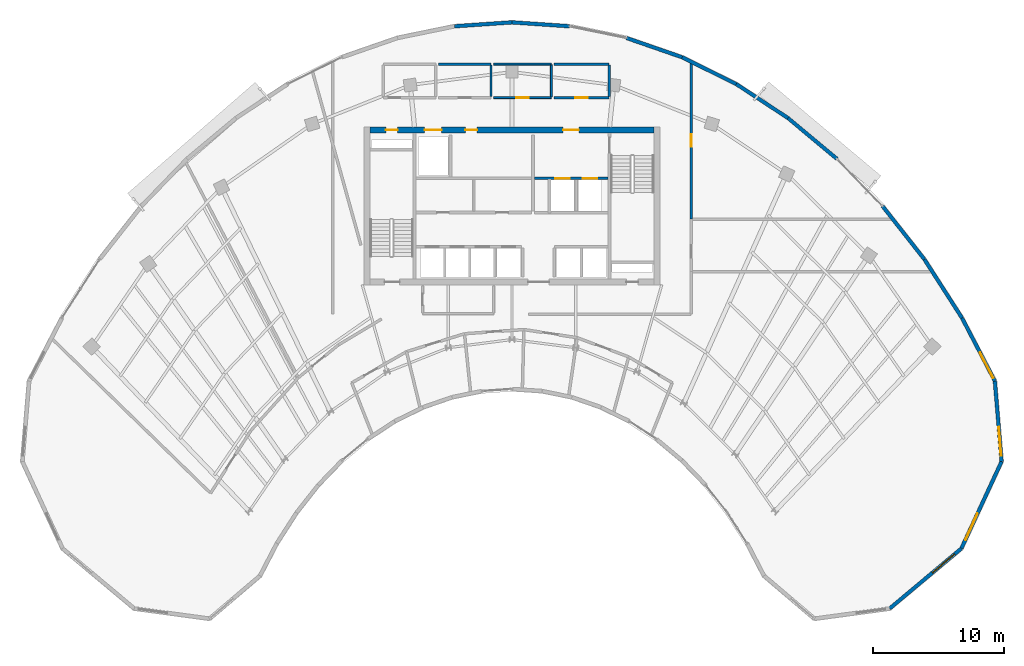
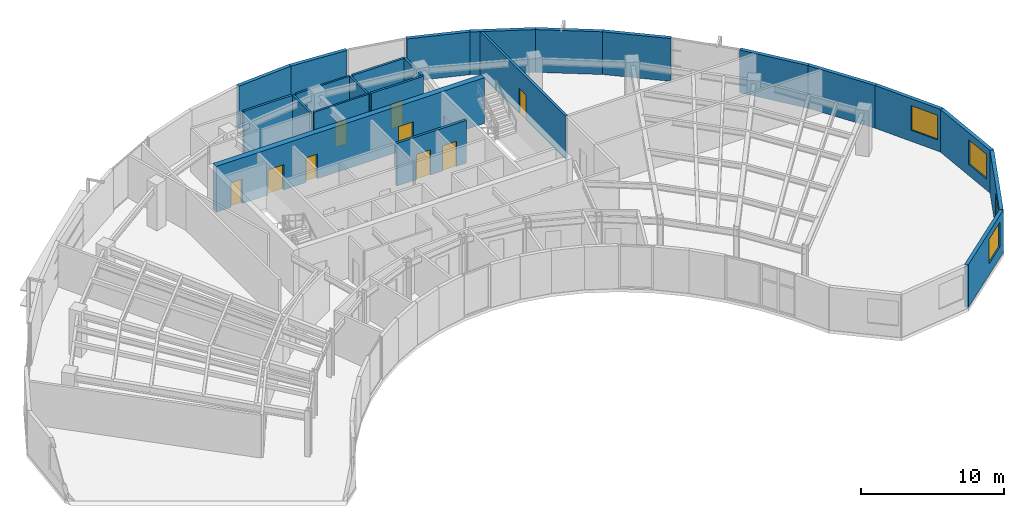
# One storey, part 11 of 14: 23 walls, 9 doors, 4 windows, 13 openings.
"""IFC4 building model written with IfcOpenShell, lengths in metres."""

from ifc_helpers import new_model, si_unit, direction, frame, frame_2d, origin, place, context, subcontext, project, spatial, rectangle, extrude, source, transform, mapped, material, layer, layer_set, type_object, type_shapes, element, fill, save


model = new_model("IFC4")

# Units and contexts
model_context = context("Model", 3, precision=1e-05, world=origin(), true_north=direction((0.0, 1.0)))
body_context = subcontext(model_context, "Body", "Model", "MODEL_VIEW")
ifc_project = project(units=[si_unit("LENGTHUNIT", "METRE"), si_unit("AREAUNIT", "SQUARE_METRE"), si_unit("VOLUMEUNIT", "CUBIC_METRE"), si_unit("PLANEANGLEUNIT", "RADIAN"), si_unit("MASSUNIT", "GRAM", prefix="KILO")], contexts=[model_context])

# Site, building, storey
site_placement = place(None, origin())
site = spatial("IfcSite", under=ifc_project, at=site_placement, CompositionType="ELEMENT")
building_placement = place(site_placement, origin())
building = spatial("IfcBuilding", under=site, at=building_placement, Name="Breltana Convention Tower", CompositionType="ELEMENT")
storey_placement = place(building_placement, frame((0.0, 0.0, 215.699951171875)))
storey = spatial("IfcBuildingStorey", under=building, at=storey_placement, Name="L52", CompositionType="ELEMENT", Elevation=215.699951171875)

# Wall, openings, doors
ifc_material_1 = material(Name="Concrete C60/75", Category="concrete")
ifc_layer_1 = layer(ifc_material_1, 0.449951171875, Name="Concrete C60/75")
ifc_layer_set_1 = layer_set([ifc_layer_1], Name="Concrete C60/75")
wall_type_1 = type_object("IfcWallType", Name="SW-CORE-450", PredefinedType="SHEAR", material=ifc_layer_set_1)
shared_shape_1 = source(origin(), body_context, "Body", "SweptSolid", [
    extrude(rectangle(XDim=21.60009765625, YDim=0.449951171875, at=frame_2d((10.800048828125, 0.0))), origin(), (0.0, 0.0, 1.0), 3.900146484375),
])
wall_1_placement = place(storey_placement, frame((37.199951171875, 71.97509765625, 0.0), z_axis=(0.0, 0.0, 1.0), x_axis=(1.0, 0.0, 0.0)))
wall_1 = element("IfcWall", 1, at=wall_1_placement, inside=storey, type_object=wall_type_1, Name="L52 North Core Shear Wall", PredefinedType="SHEAR", context=body_context, shape_type="MappedRepresentation", body=[
    mapped(shared_shape_1, transform((0.0, 0.0, 0.0), scale=1.0)),
])
opening_1_placement = place(wall_1_placement, frame((1.199951171875, 0.0, 0.0)))
opening_1 = element("IfcOpeningElement", 2, at=opening_1_placement, cuts=wall_1, Name="Opening D-18", PredefinedType="OPENING", context=body_context, shape_type="SweptSolid", body=[
    extrude(rectangle(XDim=0.89990234375, YDim=2.10009765625, at=frame_2d((0.449951171875, 1.050048828125))), frame((0.0, 0.23486328125, 0.0), z_axis=(0.0, -1.0, 0.0), x_axis=(1.0, 0.0, 0.0)), (0.0, 0.0, 1.0), 0.469970703125),
])
opening_2_placement = place(wall_1_placement, frame((14.699951171875, 0.0, 0.0)))
opening_2 = element("IfcOpeningElement", 3, at=opening_2_placement, cuts=wall_1, Name="Opening D-09", PredefinedType="OPENING", context=body_context, shape_type="SweptSolid", body=[
    extrude(rectangle(XDim=1.199951171875, YDim=2.14990234375, at=frame_2d((0.60009765625, 1.074951171875))), frame((0.0, 0.23486328125, 0.0), z_axis=(0.0, -1.0, 0.0), x_axis=(1.0, 0.0, 0.0)), (0.0, 0.0, 1.0), 0.469970703125),
])
opening_3_placement = place(wall_1_placement, frame((4.14990234375, 0.0, 0.0)))
opening_3 = element("IfcOpeningElement", 4, at=opening_3_placement, cuts=wall_1, Name="Opening LD-01", PredefinedType="OPENING", context=body_context, shape_type="SweptSolid", body=[
    extrude(rectangle(XDim=1.300048828125, YDim=2.14990234375, at=frame_2d((0.64990234375, 1.074951171875))), frame((0.0, 0.23486328125, 0.0), z_axis=(0.0, -1.0, 0.0), x_axis=(1.0, 0.0, 0.0)), (0.0, 0.0, 1.0), 0.469970703125),
])
opening_4_placement = place(wall_1_placement, frame((7.25, 0.0, 0.0)))
opening_4 = element("IfcOpeningElement", 5, at=opening_4_placement, cuts=wall_1, Name="Opening D-18", PredefinedType="OPENING", context=body_context, shape_type="SweptSolid", body=[
    extrude(rectangle(XDim=0.89990234375, YDim=2.10009765625, at=frame_2d((0.449951171875, 1.050048828125))), frame((0.0, 0.23486328125, 0.0), z_axis=(0.0, -1.0, 0.0), x_axis=(1.0, 0.0, 0.0)), (0.0, 0.0, 1.0), 0.469970703125),
])
ifc_material_2 = material(Name="Steel Riser Fire Door", Category="steel")
door_type_1 = type_object("IfcDoorType", Name="DR-FD60-900", OperationType="NOTDEFINED", PredefinedType="DOOR", material=ifc_material_2)
shared_shape_2 = source(origin(), body_context, "Body", "SweptSolid", [
    extrude(rectangle(XDim=0.89990234375, YDim=2.10009765625, at=frame_2d((0.449951171875, 1.050048828125))), frame((0.0, 0.02490234375, 0.0), z_axis=(0.0, -1.0, 0.0), x_axis=(1.0, 0.0, 0.0)), (0.0, 0.0, 1.0), 0.050048828125),
])
type_shapes(door_type_1, [shared_shape_2])
door_1_placement = place(opening_1_placement, origin())
door_1 = element("IfcDoor", 6, at=door_1_placement, inside=storey, type_object=door_type_1, Name="L52 Core Riser Access Door D-L52-RS1", OperationType="SINGLE_SWING_LEFT", OverallHeight=2.10009765625, OverallWidth=0.89990234375, PredefinedType="DOOR", context=body_context, shape_type="MappedRepresentation", body=[
    mapped(shared_shape_2, transform((0.0, 0.0, 0.0), scale=1.0)),
])
fill(opening_1, door_1)
door_2_placement = place(opening_4_placement, origin())
door_2 = element("IfcDoor", 7, at=door_2_placement, inside=storey, type_object=door_type_1, Name="L52 interior door D-L52-CRA1", OperationType="SINGLE_SWING_RIGHT", OverallHeight=2.10009765625, OverallWidth=0.89990234375, PredefinedType="DOOR", context=body_context, shape_type="MappedRepresentation", body=[
    mapped(shared_shape_2, transform((0.0, 0.0, 0.0), scale=1.0)),
])
fill(opening_4, door_2)
ifc_material_3 = material(Name="Steel Fire Lobby Door", Category="steel")
door_type_2 = type_object("IfcDoorType", Name="DR-FD120-1200", OperationType="NOTDEFINED", PredefinedType="DOOR", material=ifc_material_3)
shared_shape_3 = source(origin(), body_context, "Body", "SweptSolid", [
    extrude(rectangle(XDim=1.199951171875, YDim=2.14990234375, at=frame_2d((0.60009765625, 1.074951171875))), frame((0.0, 0.02490234375, 0.0), z_axis=(0.0, -1.0, 0.0), x_axis=(1.0, 0.0, 0.0)), (0.0, 0.0, 1.0), 0.050048828125),
])
type_shapes(door_type_2, [shared_shape_3])
door_3_placement = place(opening_2_placement, origin())
door_3 = element("IfcDoor", 8, at=door_3_placement, inside=storey, type_object=door_type_2, Name="L52 interior door D-L52-FFL-N", OperationType="SINGLE_SWING_RIGHT", OverallHeight=2.14990234375, OverallWidth=1.199951171875, PredefinedType="DOOR", context=body_context, shape_type="MappedRepresentation", body=[
    mapped(shared_shape_3, transform((0.0, 0.0, 0.0), scale=1.0)),
])
fill(opening_2, door_3)
ifc_material_4 = material(Name="Stainless Steel Brushed", Category="steel")
door_type_3 = type_object("IfcDoorType", Name="DR-LD-SRV-1300", OperationType="DOUBLE_DOOR_SLIDING", PredefinedType="DOOR", material=ifc_material_4)
shared_shape_4 = source(origin(), body_context, "Body", "SweptSolid", [
    extrude(rectangle(XDim=1.300048828125, YDim=2.14990234375, at=frame_2d((0.64990234375, 1.074951171875))), frame((0.0, 0.02490234375, 0.0), z_axis=(0.0, -1.0, 0.0), x_axis=(1.0, 0.0, 0.0)), (0.0, 0.0, 1.0), 0.050048828125),
])
type_shapes(door_type_3, [shared_shape_4])
door_4_placement = place(opening_3_placement, origin())
door_4 = element("IfcDoor", 9, at=door_4_placement, inside=storey, type_object=door_type_3, Name="L52 Lift Landing Door D-L52-LD-SV1", OperationType="DOUBLE_DOOR_SLIDING", OverallHeight=2.14990234375, OverallWidth=1.300048828125, PredefinedType="DOOR", context=body_context, shape_type="MappedRepresentation", body=[
    mapped(shared_shape_4, transform((0.0, 0.0, 0.0), scale=1.0)),
])
fill(opening_3, door_4)

# Wall, opening, window
ifc_material_5 = material(Name="Limestone Buff Insulated Wall", Category="masonry")
ifc_layer_2 = layer(ifc_material_5, 0.280029296875, Name="Limestone Buff Insulated Wall")
ifc_layer_set_2 = layer_set([ifc_layer_2], Name="Limestone Buff Insulated Wall")
wall_type_2 = type_object("IfcWallType", Name="WL-EXT-NOSE-280", PredefinedType="SOLIDWALL", material=ifc_layer_set_2)
shared_shape_5 = source(origin(), body_context, "Body", "SweptSolid", [
    extrude(rectangle(XDim=6.145751953125, YDim=0.280029296875, at=frame_2d((3.07275390625, 0.0))), origin(), (0.0, 0.0, 1.0), 3.64013671875),
])
wall_2_placement = place(storey_placement, frame((84.756103515625, 52.87353515625, 0.0), z_axis=(0.0, 0.0, 1.0), x_axis=(0.083301904456, -0.996524356307, 0.0)))
wall_2 = element("IfcWall", 10, at=wall_2_placement, inside=storey, type_object=wall_type_2, Name="L52 curved limestone nose wall E1", PredefinedType="SOLIDWALL", context=body_context, shape_type="MappedRepresentation", body=[
    mapped(shared_shape_5, transform((0.0, 0.0, 0.0), scale=1.0)),
])
opening_5_placement = place(wall_2_placement, frame((3.50927734375, 0.0, 0.949951171875)))
opening_5 = element("IfcOpeningElement", 11, at=opening_5_placement, cuts=wall_2, Name="Opening W-03", PredefinedType="OPENING", context=body_context, shape_type="SweptSolid", body=[
    extrude(rectangle(XDim=2.199951171875, YDim=2.10009765625, at=frame_2d((1.10009765625, 1.050048828125))), frame((0.0, 0.14990234375, 0.0), z_axis=(0.0, -1.0, 0.0), x_axis=(1.0, 0.0, 0.0)), (0.0, 0.0, 1.0), 0.300048828125),
])
ifc_material_6 = material(Name="Glass Low-E Insulated Window", Category="glass")
window_type = type_object("IfcWindowType", Name="WN-NOSE-2200X2100", PartitioningType="TRIPLE_PANEL_VERTICAL", PredefinedType="WINDOW", material=ifc_material_6)
shared_shape_6 = source(origin(), body_context, "Body", "SweptSolid", [
    extrude(rectangle(XDim=2.199951171875, YDim=2.10009765625, at=frame_2d((1.10009765625, 1.050048828125))), frame((0.0, 0.030029296875, 0.0), z_axis=(0.0, -1.0, 0.0), x_axis=(1.0, 0.0, 0.0)), (0.0, 0.0, 1.0), 0.06005859375),
])
type_shapes(window_type, [shared_shape_6])
window_1_placement = place(opening_5_placement, origin())
window_1 = element("IfcWindow", 12, at=window_1_placement, inside=storey, type_object=window_type, Name="L52 nose window E1", OverallHeight=2.10009765625, OverallWidth=2.199951171875, PartitioningType="TRIPLE_PANEL_VERTICAL", PredefinedType="WINDOW", context=body_context, shape_type="MappedRepresentation", body=[
    mapped(shared_shape_6, transform((0.0, 0.0, 0.0), scale=1.0)),
])
fill(opening_5, window_1)

shared_shape_7 = source(origin(), body_context, "Body", "SweptSolid", [
    extrude(rectangle(XDim=7.29150390625, YDim=0.280029296875, at=frame_2d((3.645751953125, 0.0))), origin(), (0.0, 0.0, 1.0), 3.64013671875),
])
wall_3_placement = place(storey_placement, frame((85.26806640625, 46.7490234375, 0.0), z_axis=(0.0, 0.0, 1.0), x_axis=(-0.419642001049, -0.907689699708, 0.0)))
wall_3 = element("IfcWall", 13, at=wall_3_placement, inside=storey, type_object=wall_type_2, Name="L52 curved limestone nose wall E2", PredefinedType="SOLIDWALL", context=body_context, shape_type="MappedRepresentation", body=[
    mapped(shared_shape_7, transform((0.0, 0.0, 0.0), scale=1.0)),
])
opening_6_placement = place(wall_3_placement, frame((4.36865234375, 0.0, 0.949951171875)))
opening_6 = element("IfcOpeningElement", 14, at=opening_6_placement, cuts=wall_3, Name="Opening W-03", PredefinedType="OPENING", context=body_context, shape_type="SweptSolid", body=[
    extrude(rectangle(XDim=2.199951171875, YDim=2.10009765625, at=frame_2d((1.10009765625, 1.050048828125))), frame((0.0, 0.14990234375, 0.0), z_axis=(0.0, -1.0, 0.0), x_axis=(1.0, 0.0, 0.0)), (0.0, 0.0, 1.0), 0.300048828125),
])
window_2_placement = place(opening_6_placement, origin())
window_2 = element("IfcWindow", 15, at=window_2_placement, inside=storey, type_object=window_type, Name="L52 nose window E2", OverallHeight=2.10009765625, OverallWidth=2.199951171875, PartitioningType="TRIPLE_PANEL_VERTICAL", PredefinedType="WINDOW", context=body_context, shape_type="MappedRepresentation", body=[
    mapped(shared_shape_6, transform((0.0, 0.0, 0.0), scale=1.0)),
])
fill(opening_6, window_2)

shared_shape_8 = source(origin(), body_context, "Body", "SweptSolid", [
    extrude(rectangle(XDim=7.11962890625, YDim=0.280029296875, at=frame_2d((3.559814453125, 0.0))), origin(), (0.0, 0.0, 1.0), 3.64013671875),
])
wall_4_placement = place(storey_placement, frame((82.208251953125, 40.130615234375, 0.0), z_axis=(0.0, 0.0, 1.0), x_axis=(-0.766709783564, -0.641993853387, 0.0)))
wall_4 = element("IfcWall", 16, at=wall_4_placement, inside=storey, type_object=wall_type_2, Name="L52 curved limestone nose wall E3", PredefinedType="SOLIDWALL", context=body_context, shape_type="MappedRepresentation", body=[
    mapped(shared_shape_8, transform((0.0, 0.0, 0.0), scale=1.0)),
])
opening_7_placement = place(wall_4_placement, frame((0.679931640625, 0.0, 0.949951171875)))
opening_7 = element("IfcOpeningElement", 17, at=opening_7_placement, cuts=wall_4, Name="Opening W-03", PredefinedType="OPENING", context=body_context, shape_type="SweptSolid", body=[
    extrude(rectangle(XDim=2.199951171875, YDim=2.10009765625, at=frame_2d((1.10009765625, 1.050048828125))), frame((0.0, 0.14990234375, 0.0), z_axis=(0.0, -1.0, 0.0), x_axis=(1.0, 0.0, 0.0)), (0.0, 0.0, 1.0), 0.300048828125),
])
window_3_placement = place(opening_7_placement, origin())
window_3 = element("IfcWindow", 18, at=window_3_placement, inside=storey, type_object=window_type, Name="L52 nose window E3", OverallHeight=2.10009765625, OverallWidth=2.199951171875, PartitioningType="TRIPLE_PANEL_VERTICAL", PredefinedType="WINDOW", context=body_context, shape_type="MappedRepresentation", body=[
    mapped(shared_shape_6, transform((0.0, 0.0, 0.0), scale=1.0)),
])
fill(opening_7, window_3)

shared_shape_9 = source(origin(), body_context, "Body", "SweptSolid", [
    extrude(rectangle(XDim=5.41552734375, YDim=0.280029296875, at=frame_2d((2.707763671875, 0.0))), origin(), (0.0, 0.0, 1.0), 3.64013671875),
])
wall_5_placement = place(storey_placement, frame((82.25537109375, 57.677001953125, 0.0), z_axis=(0.0, 0.0, 1.0), x_axis=(0.46177852435, -0.886995261796, 0.0)))
wall_5 = element("IfcWall", 19, at=wall_5_placement, inside=storey, type_object=wall_type_2, Name="L52 curved limestone nose wall E34", PredefinedType="SOLIDWALL", context=body_context, shape_type="MappedRepresentation", body=[
    mapped(shared_shape_9, transform((0.0, 0.0, 0.0), scale=1.0)),
])
opening_8_placement = place(wall_5_placement, frame((2.961669921875, 0.0, 0.949951171875)))
opening_8 = element("IfcOpeningElement", 20, at=opening_8_placement, cuts=wall_5, Name="Opening W-03", PredefinedType="OPENING", context=body_context, shape_type="SweptSolid", body=[
    extrude(rectangle(XDim=2.199951171875, YDim=2.10009765625, at=frame_2d((1.10009765625, 1.050048828125))), frame((0.0, 0.14990234375, 0.0), z_axis=(0.0, -1.0, 0.0), x_axis=(1.0, 0.0, 0.0)), (0.0, 0.0, 1.0), 0.300048828125),
])
window_4_placement = place(opening_8_placement, origin())
window_4 = element("IfcWindow", 21, at=window_4_placement, inside=storey, type_object=window_type, Name="L52 nose window E34", OverallHeight=2.10009765625, OverallWidth=2.199951171875, PartitioningType="TRIPLE_PANEL_VERTICAL", PredefinedType="WINDOW", context=body_context, shape_type="MappedRepresentation", body=[
    mapped(shared_shape_6, transform((0.0, 0.0, 0.0), scale=1.0)),
])
fill(opening_8, window_4)

# Walls
shared_shape_10 = source(origin(), body_context, "Body", "SweptSolid", [
    extrude(rectangle(XDim=5.153076171875, YDim=0.280029296875, at=frame_2d((2.57666015625, 0.0))), origin(), (0.0, 0.0, 1.0), 3.64013671875),
])
wall_6_placement = place(storey_placement, frame((76.205322265625, 66.190185546875, 0.0), z_axis=(0.0, 0.0, 1.0), x_axis=(0.618179283891, -0.786037132054, 0.0)))
element("IfcWall", 22, at=wall_6_placement, inside=storey, type_object=wall_type_2, Name="L52 curved limestone nose wall E32", PredefinedType="SOLIDWALL", context=body_context, shape_type="MappedRepresentation", body=[
    mapped(shared_shape_10, transform((0.0, 0.0, 0.0), scale=1.0)),
])
shared_shape_11 = source(origin(), body_context, "Body", "SweptSolid", [
    extrude(rectangle(XDim=4.851806640625, YDim=0.280029296875, at=frame_2d((2.42578125, 0.0))), origin(), (0.0, 0.0, 1.0), 3.64013671875),
])
wall_7_placement = place(storey_placement, frame((69.006103515625, 72.8955078125, 0.0), z_axis=(0.0, 0.0, 1.0), x_axis=(0.767936605821, -0.640525853843, 0.0)))
element("IfcWall", 23, at=wall_7_placement, inside=storey, type_object=wall_type_2, Name="L52 curved limestone nose wall E31", PredefinedType="SOLIDWALL", context=body_context, shape_type="MappedRepresentation", body=[
    mapped(shared_shape_11, transform((0.0, 0.0, 0.0), scale=1.0)),
])
shared_shape_12 = source(origin(), body_context, "Body", "SweptSolid", [
    extrude(rectangle(XDim=4.712646484375, YDim=0.280029296875, at=frame_2d((2.3564453125, 0.0))), origin(), (0.0, 0.0, 1.0), 3.64013671875),
])
wall_8_placement = place(storey_placement, frame((65.06640625, 75.481689453125, 0.0), z_axis=(0.0, 0.0, 1.0), x_axis=(0.835974386457, -0.548768462275, 0.0)))
element("IfcWall", 24, at=wall_8_placement, inside=storey, type_object=wall_type_2, Name="L52 curved limestone nose wall E30", PredefinedType="SOLIDWALL", context=body_context, shape_type="MappedRepresentation", body=[
    mapped(shared_shape_12, transform((0.0, 0.0, 0.0), scale=1.0)),
])
shared_shape_13 = source(origin(), body_context, "Body", "SweptSolid", [
    extrude(rectangle(XDim=4.59033203125, YDim=0.280029296875, at=frame_2d((2.295166015625, 0.0))), origin(), (0.0, 0.0, 1.0), 3.64013671875),
])
wall_9_placement = place(storey_placement, frame((60.95361328125, 77.520263671875, 0.0), z_axis=(0.0, 0.0, 1.0), x_axis=(0.895974834987, -0.444104824418, 0.0)))
element("IfcWall", 25, at=wall_9_placement, inside=storey, type_object=wall_type_2, Name="L52 curved limestone nose wall E29", PredefinedType="SOLIDWALL", context=body_context, shape_type="MappedRepresentation", body=[
    mapped(shared_shape_13, transform((0.0, 0.0, 0.0), scale=1.0)),
])
shared_shape_14 = source(origin(), body_context, "Body", "SweptSolid", [
    extrude(rectangle(XDim=4.4921875, YDim=0.280029296875, at=frame_2d((2.24609375, 0.0))), origin(), (0.0, 0.0, 1.0), 3.64013671875),
])
wall_10_placement = place(storey_placement, frame((56.708984375, 78.9912109375, 0.0), z_axis=(0.0, 0.0, 1.0), x_axis=(0.944872297412, -0.32743906545, 0.0)))
element("IfcWall", 26, at=wall_10_placement, inside=storey, type_object=wall_type_2, Name="L52 curved limestone nose wall E28", PredefinedType="SOLIDWALL", context=body_context, shape_type="MappedRepresentation", body=[
    mapped(shared_shape_14, transform((0.0, 0.0, 0.0), scale=1.0)),
])
shared_shape_15 = source(origin(), body_context, "Body", "SweptSolid", [
    extrude(rectangle(XDim=4.38671875, YDim=0.280029296875, at=frame_2d((2.193359375, 0.0))), origin(), (0.0, 0.0, 1.0), 3.64013671875),
])
for number, where, z_axis, x_axis, name in (
    (27, (43.623291015625, 79.87939453125, 0.0), (0.0, 0.0, 1.0), (0.997703650546, 0.06773053733, 0.0), "L52 curved limestone nose wall E26"),
    (28, (48.0, 80.176513671875, 0.0), (0.0, 0.0, 1.0), (0.997703650546, -0.06773053733, 0.0), "L52 curved limestone nose wall E27"),
):
    element("IfcWall", number, at=place(storey_placement, frame(where, z_axis=z_axis, x_axis=x_axis)), inside=storey, type_object=wall_type_2, Name=name, PredefinedType="SOLIDWALL", context=body_context, shape_type="MappedRepresentation", body=[
        mapped(shared_shape_15, transform((0.0, 0.0, 0.0), scale=1.0)),
    ])
shared_shape_16 = source(origin(), body_context, "Body", "SweptSolid", [
    extrude(rectangle(XDim=5.302978515625, YDim=0.280029296875, at=frame_2d((2.6513671875, 0.0))), origin(), (0.0, 0.0, 1.0), 3.64013671875),
])
wall_11_placement = place(storey_placement, frame((79.390869140625, 62.1396484375, 0.0), z_axis=(0.0, 0.0, 1.0), x_axis=(0.540178067041, -0.84155074469, 0.0)))
element("IfcWall", 29, at=wall_11_placement, inside=storey, type_object=wall_type_2, Name="L52 curved limestone nose wall E33", PredefinedType="SOLIDWALL", context=body_context, shape_type="MappedRepresentation", body=[
    mapped(shared_shape_16, transform((0.0, 0.0, 0.0), scale=1.0)),
])

# Wall, openings, doors
ifc_material_7 = material(Name="Autoclaved Aerated Concrete Block", Category="concrete")
ifc_layer_3 = layer(ifc_material_7, 0.199951171875, Name="Autoclaved Aerated Concrete Block")
ifc_layer_set_3 = layer_set([ifc_layer_3], Name="Autoclaved Aerated Concrete Block")
wall_type_3 = type_object("IfcWallType", Name="WL-SHAFT-200", PredefinedType="SOLIDWALL", material=ifc_layer_set_3)
shared_shape_17 = source(origin(), body_context, "Body", "SweptSolid", [
    extrude(rectangle(XDim=5.6201171875, YDim=0.199951171875, at=frame_2d((2.81005859375, 0.0))), origin(), (0.0, 0.0, 1.0), 3.64013671875),
])
wall_12_placement = place(storey_placement, frame((49.699951171875, 68.300048828125, 0.0), z_axis=(0.0, 0.0, 1.0), x_axis=(1.0, 0.0, 0.0)))
wall_12 = element("IfcWall", 30, at=wall_12_placement, inside=storey, type_object=wall_type_3, Name="L52 interior partition W-L52-FFL-S", PredefinedType="SOLIDWALL", context=body_context, shape_type="MappedRepresentation", body=[
    mapped(shared_shape_17, transform((0.0, 0.0, 0.0), scale=1.0)),
])
opening_9_placement = place(wall_12_placement, frame((1.60009765625, 0.0, 0.0)))
opening_9 = element("IfcOpeningElement", 31, at=opening_9_placement, cuts=wall_12, Name="Opening LD-03", PredefinedType="OPENING", context=body_context, shape_type="SweptSolid", body=[
    extrude(rectangle(XDim=1.10009765625, YDim=2.14990234375, at=frame_2d((0.550048828125, 1.074951171875))), frame((0.0, 0.10986328125, 0.0), z_axis=(0.0, -1.0, 0.0), x_axis=(1.0, 0.0, 0.0)), (0.0, 0.0, 1.0), 0.219970703125),
])
opening_10_placement = place(wall_12_placement, frame((3.699951171875, 0.0, 0.0)))
opening_10 = element("IfcOpeningElement", 32, at=opening_10_placement, cuts=wall_12, Name="Opening LD-03", PredefinedType="OPENING", context=body_context, shape_type="SweptSolid", body=[
    extrude(rectangle(XDim=1.10009765625, YDim=2.14990234375, at=frame_2d((0.550048828125, 1.074951171875))), frame((0.0, 0.10986328125, 0.0), z_axis=(0.0, -1.0, 0.0), x_axis=(1.0, 0.0, 0.0)), (0.0, 0.0, 1.0), 0.219970703125),
])
door_type_4 = type_object("IfcDoorType", Name="DR-LD-FF-1100", OperationType="DOUBLE_DOOR_SLIDING", PredefinedType="DOOR", material=ifc_material_4)
shared_shape_18 = source(origin(), body_context, "Body", "SweptSolid", [
    extrude(rectangle(XDim=1.10009765625, YDim=2.14990234375, at=frame_2d((0.550048828125, 1.074951171875))), frame((0.0, 0.02490234375, 0.0), z_axis=(0.0, -1.0, 0.0), x_axis=(1.0, 0.0, 0.0)), (0.0, 0.0, 1.0), 0.050048828125),
])
type_shapes(door_type_4, [shared_shape_18])
door_5_placement = place(opening_9_placement, origin())
door_5 = element("IfcDoor", 33, at=door_5_placement, inside=storey, type_object=door_type_4, Name="L52 Lift Landing Door D-L52-LD-FL1", OperationType="DOUBLE_DOOR_SLIDING", OverallHeight=2.14990234375, OverallWidth=1.10009765625, PredefinedType="DOOR", context=body_context, shape_type="MappedRepresentation", body=[
    mapped(shared_shape_18, transform((0.0, 0.0, 0.0), scale=1.0)),
])
fill(opening_9, door_5)
door_6_placement = place(opening_10_placement, origin())
door_6 = element("IfcDoor", 34, at=door_6_placement, inside=storey, type_object=door_type_4, Name="L52 Lift Landing Door D-L52-LD-FL2", OperationType="DOUBLE_DOOR_SLIDING", OverallHeight=2.14990234375, OverallWidth=1.10009765625, PredefinedType="DOOR", context=body_context, shape_type="MappedRepresentation", body=[
    mapped(shared_shape_18, transform((0.0, 0.0, 0.0), scale=1.0)),
])
fill(opening_10, door_6)

# Walls
ifc_material_8 = material(Name="Moisture-Resistant Gypsum Chase Wall")
ifc_layer_4 = layer(ifc_material_8, 0.179931640625, Name="Moisture-Resistant Gypsum Chase Wall")
ifc_layer_set_4 = layer_set([ifc_layer_4], Name="Moisture-Resistant Gypsum Chase Wall")
wall_type_4 = type_object("IfcWallType", Name="WL-PLUMB-180", PredefinedType="PLUMBINGWALL", material=ifc_layer_set_4)
shared_shape_19 = source(origin(), body_context, "Body", "SweptSolid", [
    extrude(rectangle(XDim=4.0, YDim=0.179931640625, at=frame_2d((2.0, 0.0))), origin(), (0.0, 0.0, 1.0), 3.64013671875),
])
wall_13_placement = place(storey_placement, frame((42.39990234375, 77.0, 0.0), z_axis=(0.0, 0.0, 1.0), x_axis=(1.0, 0.0, 0.0)))
element("IfcWall", 35, at=wall_13_placement, inside=storey, type_object=wall_type_4, Name="L52 interior partition W-L52-WCF-N", PredefinedType="PLUMBINGWALL", context=body_context, shape_type="MappedRepresentation", body=[
    mapped(shared_shape_19, transform((0.0, 0.0, 0.0), scale=1.0)),
])
ifc_material_9 = material(Name="Cement Board Wet-Area Partition")
ifc_layer_5 = layer(ifc_material_9, 0.175048828125, Name="Cement Board Wet-Area Partition")
ifc_layer_set_5 = layer_set([ifc_layer_5], Name="Cement Board Wet-Area Partition")
wall_type_5 = type_object("IfcWallType", Name="WL-WET-175", PredefinedType="PARTITIONING", material=ifc_layer_set_5)
shared_shape_20 = source(origin(), body_context, "Body", "SweptSolid", [
    extrude(rectangle(XDim=2.402587890625, YDim=0.175048828125, at=frame_2d((1.201171875, 0.0))), origin(), (0.0, 0.0, 1.0), 3.64013671875),
])
for number, where, z_axis, x_axis, name in (
    (36, (46.39990234375, 74.518798828125, 0.0), (0.0, 0.0, 1.0), (0.0, 1.0, 0.0), "L52 interior partition W-L52-WCF-E"),
    (37, (55.39990234375, 74.518798828125, 0.0), (0.0, 0.0, 1.0), (0.0, 1.0, 0.0), "L52 interior partition W-L52-WCA-E"),
):
    element("IfcWall", number, at=place(storey_placement, frame(where, z_axis=z_axis, x_axis=x_axis)), inside=storey, type_object=wall_type_5, Name=name, PredefinedType="PARTITIONING", context=body_context, shape_type="MappedRepresentation", body=[
        mapped(shared_shape_20, transform((0.0, 0.0, 0.0), scale=1.0)),
    ])

# Wall, opening, door
ifc_material_10 = material(Name="Gypsum Acoustic Drywall Partition")
ifc_layer_6 = layer(ifc_material_10, 0.14990234375, Name="Gypsum Acoustic Drywall Partition")
ifc_layer_set_6 = layer_set([ifc_layer_6], Name="Gypsum Acoustic Drywall Partition")
wall_type_6 = type_object("IfcWallType", Name="WL-PART-150", PredefinedType="PARTITIONING", material=ifc_layer_set_6)
shared_shape_21 = source(origin(), body_context, "Body", "SweptSolid", [
    extrude(rectangle(XDim=4.39990234375, YDim=0.14990234375, at=frame_2d((2.199951171875, 0.0))), origin(), (0.0, 0.0, 1.0), 3.64013671875),
])
wall_14_placement = place(storey_placement, frame((46.60009765625, 74.43994140625, 0.0), z_axis=(0.0, 0.0, 1.0), x_axis=(1.0, 0.0, 0.0)))
wall_14 = element("IfcWall", 38, at=wall_14_placement, inside=storey, type_object=wall_type_6, Name="L52 interior partition W-L52-PNT-S", PredefinedType="PARTITIONING", context=body_context, shape_type="MappedRepresentation", body=[
    mapped(shared_shape_21, transform((0.0, 0.0, 0.0), scale=1.0)),
])
opening_11_placement = place(wall_14_placement, frame((1.72509765625, 0.0, 0.0)))
opening_11 = element("IfcOpeningElement", 39, at=opening_11_placement, cuts=wall_14, Name="Opening D-17", PredefinedType="OPENING", context=body_context, shape_type="SweptSolid", body=[
    extrude(rectangle(XDim=0.949951171875, YDim=2.10009765625, at=frame_2d((0.47509765625, 1.050048828125))), frame((0.0, 0.0849609375, 0.0), z_axis=(0.0, -1.0, 0.0), x_axis=(1.0, 0.0, 0.0)), (0.0, 0.0, 1.0), 0.169921875),
])
ifc_material_11 = material(Name="Timber Oak Veneer Door", Category="wood")
door_type_5 = type_object("IfcDoorType", Name="DR-INT-950", OperationType="NOTDEFINED", PredefinedType="DOOR", material=ifc_material_11)
shared_shape_22 = source(origin(), body_context, "Body", "SweptSolid", [
    extrude(rectangle(XDim=0.949951171875, YDim=2.10009765625, at=frame_2d((0.47509765625, 1.050048828125))), frame((0.0, 0.02490234375, 0.0), z_axis=(0.0, -1.0, 0.0), x_axis=(1.0, 0.0, 0.0)), (0.0, 0.0, 1.0), 0.050048828125),
])
type_shapes(door_type_5, [shared_shape_22])
door_7_placement = place(opening_11_placement, origin())
door_7 = element("IfcDoor", 40, at=door_7_placement, inside=storey, type_object=door_type_5, Name="L52 interior door D-L52-PNT", OperationType="SINGLE_SWING_RIGHT", OverallHeight=2.10009765625, OverallWidth=0.949951171875, PredefinedType="DOOR", context=body_context, shape_type="MappedRepresentation", body=[
    mapped(shared_shape_22, transform((0.0, 0.0, 0.0), scale=1.0)),
])
fill(opening_11, door_7)

# Walls
wall_15_placement = place(storey_placement, frame((46.60009765625, 77.0, 0.0), z_axis=(0.0, 0.0, 1.0), x_axis=(1.0, 0.0, 0.0)))
element("IfcWall", 41, at=wall_15_placement, inside=storey, type_object=wall_type_6, Name="L52 interior partition W-L52-PNT-N", PredefinedType="PARTITIONING", context=body_context, shape_type="MappedRepresentation", body=[
    mapped(shared_shape_21, transform((0.0, 0.0, 0.0), scale=1.0)),
])
shared_shape_23 = source(origin(), body_context, "Body", "SweptSolid", [
    extrude(rectangle(XDim=2.425048828125, YDim=0.14990234375, at=frame_2d((1.21240234375, 0.0))), origin(), (0.0, 0.0, 1.0), 3.64013671875),
])
wall_16_placement = place(storey_placement, frame((51.0, 74.507568359375, 0.0), z_axis=(0.0, 0.0, 1.0), x_axis=(0.0, 1.0, 0.0)))
element("IfcWall", 42, at=wall_16_placement, inside=storey, type_object=wall_type_6, Name="L52 interior partition W-L52-PNT-E", PredefinedType="PARTITIONING", context=body_context, shape_type="MappedRepresentation", body=[
    mapped(shared_shape_23, transform((0.0, 0.0, 0.0), scale=1.0)),
])

# Wall, opening, door
shared_shape_24 = source(origin(), body_context, "Body", "SweptSolid", [
    extrude(rectangle(XDim=4.199951171875, YDim=0.175048828125, at=frame_2d((2.10009765625, 0.0))), origin(), (0.0, 0.0, 1.0), 3.64013671875),
])
wall_17_placement = place(storey_placement, frame((51.199951171875, 74.43994140625, 0.0), z_axis=(0.0, 0.0, 1.0), x_axis=(1.0, 0.0, 0.0)))
wall_17 = element("IfcWall", 43, at=wall_17_placement, inside=storey, type_object=wall_type_5, Name="L52 interior partition W-L52-WCA-S", PredefinedType="PARTITIONING", context=body_context, shape_type="MappedRepresentation", body=[
    mapped(shared_shape_24, transform((0.0, 0.0, 0.0), scale=1.0)),
])
opening_12_placement = place(wall_17_placement, frame((1.625, 0.0, 0.0)))
opening_12 = element("IfcOpeningElement", 44, at=opening_12_placement, cuts=wall_17, Name="Opening D-16", PredefinedType="OPENING", context=body_context, shape_type="SweptSolid", body=[
    extrude(rectangle(XDim=0.949951171875, YDim=2.1201171875, at=frame_2d((0.47509765625, 1.06005859375))), frame((0.0, 0.09765625, 0.0), z_axis=(0.0, -1.0, 0.0), x_axis=(1.0, 0.0, 0.0)), (0.0, 0.0, 1.0), 0.195068359375),
])
ifc_material_12 = material(Name="Timber Laminate Accessible Door", Category="wood")
door_type_6 = type_object("IfcDoorType", Name="DR-ACC-950", OperationType="NOTDEFINED", PredefinedType="DOOR", material=ifc_material_12)
shared_shape_25 = source(origin(), body_context, "Body", "SweptSolid", [
    extrude(rectangle(XDim=0.949951171875, YDim=2.1201171875, at=frame_2d((0.47509765625, 1.06005859375))), frame((0.0, 0.02490234375, 0.0), z_axis=(0.0, -1.0, 0.0), x_axis=(1.0, 0.0, 0.0)), (0.0, 0.0, 1.0), 0.050048828125),
])
type_shapes(door_type_6, [shared_shape_25])
door_8_placement = place(opening_12_placement, origin())
door_8 = element("IfcDoor", 45, at=door_8_placement, inside=storey, type_object=door_type_6, Name="L52 interior door D-L52-WCA", OperationType="SINGLE_SWING_LEFT", OverallHeight=2.1201171875, OverallWidth=0.949951171875, PredefinedType="DOOR", context=body_context, shape_type="MappedRepresentation", body=[
    mapped(shared_shape_25, transform((0.0, 0.0, 0.0), scale=1.0)),
])
fill(opening_12, door_8)

# Wall
shared_shape_26 = source(origin(), body_context, "Body", "SweptSolid", [
    extrude(rectangle(XDim=4.199951171875, YDim=0.179931640625, at=frame_2d((2.10009765625, 0.0))), origin(), (0.0, 0.0, 1.0), 3.64013671875),
])
wall_18_placement = place(storey_placement, frame((51.199951171875, 77.0, 0.0), z_axis=(0.0, 0.0, 1.0), x_axis=(1.0, 0.0, 0.0)))
element("IfcWall", 46, at=wall_18_placement, inside=storey, type_object=wall_type_4, Name="L52 interior partition W-L52-WCA-N", PredefinedType="PLUMBINGWALL", context=body_context, shape_type="MappedRepresentation", body=[
    mapped(shared_shape_26, transform((0.0, 0.0, 0.0), scale=1.0)),
])

# Wall, opening, door
ifc_material_13 = material(Name="Gypsum Acoustic Hotel Wall")
ifc_layer_7 = layer(ifc_material_13, 0.195068359375, Name="Gypsum Acoustic Hotel Wall")
ifc_layer_set_7 = layer_set([ifc_layer_7], Name="Gypsum Acoustic Hotel Wall")
wall_type_7 = type_object("IfcWallType", Name="WL-HOTEL-200", PredefinedType="PARTITIONING", material=ifc_layer_set_7)
shared_shape_27 = source(origin(), body_context, "Body", "SweptSolid", [
    extrude(rectangle(XDim=11.96875, YDim=0.195068359375, at=frame_2d((5.984375, 0.0))), origin(), (0.0, 0.0, 1.0), 3.64013671875),
])
wall_19_placement = place(storey_placement, frame((61.639892578125, 65.199951171875, 0.0), z_axis=(0.0, 0.0, 1.0), x_axis=(0.0, 1.0, 0.0)))
wall_19 = element("IfcWall", 47, at=wall_19_placement, inside=storey, type_object=wall_type_7, Name="L52 interior partition W-L52-EXE3-ENT", PredefinedType="PARTITIONING", context=body_context, shape_type="MappedRepresentation", body=[
    mapped(shared_shape_27, transform((0.0, 0.0, 0.0), scale=1.0)),
])
opening_13_placement = place(wall_19_placement, frame((5.509521484375, 0.0, 0.0)))
opening_13 = element("IfcOpeningElement", 48, at=opening_13_placement, cuts=wall_19, Name="Opening D-17", PredefinedType="OPENING", context=body_context, shape_type="SweptSolid", body=[
    extrude(rectangle(XDim=0.949951171875, YDim=2.10009765625, at=frame_2d((0.47509765625, 1.050048828125))), frame((0.0, 0.107421875, 0.0), z_axis=(0.0, -1.0, 0.0), x_axis=(1.0, 0.0, 0.0)), (0.0, 0.0, 1.0), 0.215087890625),
])
door_9_placement = place(opening_13_placement, origin())
door_9 = element("IfcDoor", 49, at=door_9_placement, inside=storey, type_object=door_type_5, Name="L52 interior door D-L52-EXE3", OperationType="SINGLE_SWING_LEFT", OverallHeight=2.10009765625, OverallWidth=0.949951171875, PredefinedType="DOOR", context=body_context, shape_type="MappedRepresentation", body=[
    mapped(shared_shape_22, transform((0.0, 0.0, 0.0), scale=1.0)),
])
fill(opening_13, door_9)

save(model, "model.ifc")
